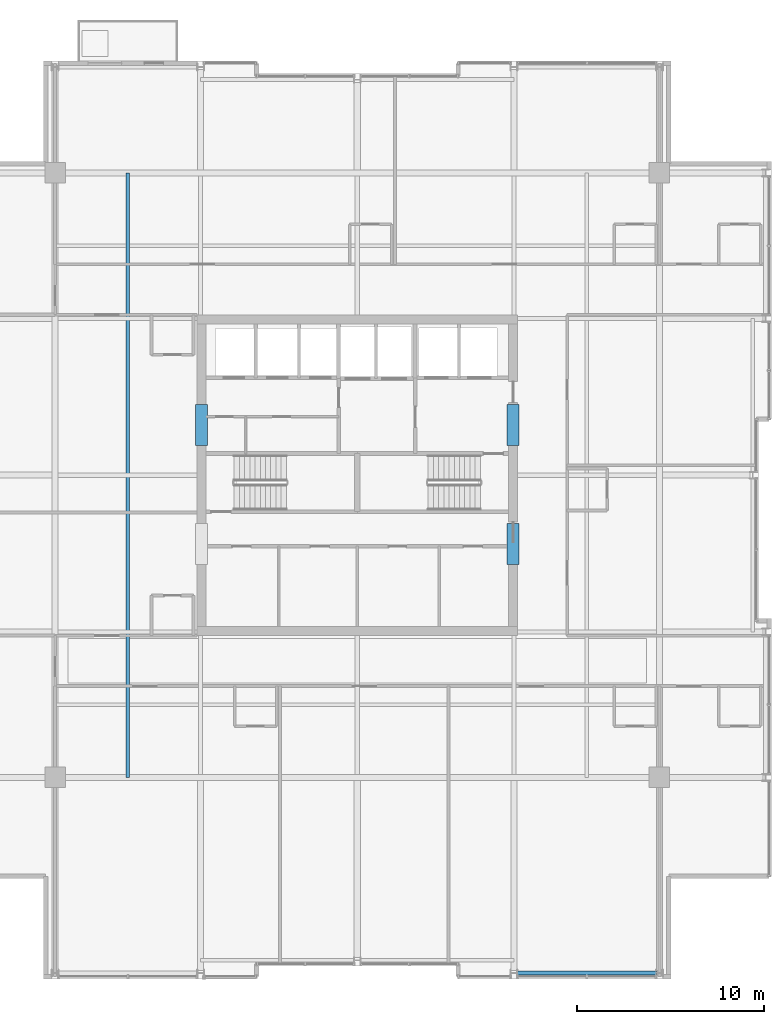
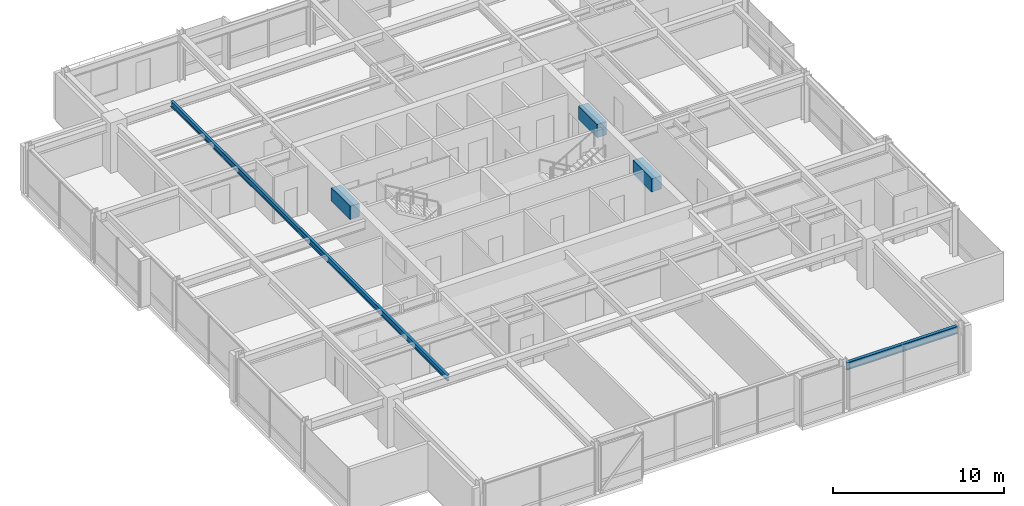
# One storey, part 12 of 32: 5 beams.
"""IFC4 building model written with IfcOpenShell, lengths in metres."""

import ifcopenshell
import ifcopenshell.guid

model = None  # the IFC model being written
_history = None  # IfcOwnerHistory: only IFC2X3 demands one
_inside = {}  # id of a spatial element -> (the spatial element, [elements in it])
_under = {}  # id of a project, library or spatial element -> (it, [spatial elements below it])
_declared = {}  # id of a project -> (the project, [libraries it declares])
_typed = {}  # id of a type object -> (the type object, [elements of that type])
_made_of = {}  # id of a material, layer set ... -> (it, [elements and type objects made of it])


def new_model(schema):
    """Start an empty IFC model of exactly this schema.

    Asked for "IFC4X3", IfcOpenShell would pick the latest addendum, in which some entities
    have other attributes; the version numbers below select the first issue.
    IFC2X3 requires an IfcOwnerHistory on every rooted entity: one is made here for all.
    """
    global model, _history
    if schema == "IFC4X3":
        model = ifcopenshell.file(schema_version=(4, 3, 0, 0))
    else:
        model = ifcopenshell.file(schema=schema)
    _inside.clear()
    _under.clear()
    _declared.clear()
    _typed.clear()
    _made_of.clear()
    _history = None
    if model.schema == "IFC2X3":
        org = make("IfcOrganization", Name="unknown")
        user = make(
            "IfcPersonAndOrganization",
            ThePerson=make("IfcPerson", FamilyName="unknown"),
            TheOrganization=org,
        )
        app = make(
            "IfcApplication",
            ApplicationDeveloper=org,
            Version="unknown",
            ApplicationFullName="unknown",
            ApplicationIdentifier="unknown",
        )
        _history = make(
            "IfcOwnerHistory",
            OwningUser=user,
            OwningApplication=app,
            ChangeAction="ADDED",
            CreationDate=0,
        )
    return model


def make(cls, **values):
    """One entity of the class cls with the attributes given. An attribute that is None is left unset."""
    return model.create_entity(
        cls, **{name: value for name, value in values.items() if value is not None}
    )


def rooted(cls, **values):
    """An entity with a GlobalId (a new one), such as an element, a storey or a relation."""
    return make(cls, GlobalId=ifcopenshell.guid.new(), OwnerHistory=_history, **values)


def si_unit(unit_type, name, prefix=None):
    """IfcSIUnit, for example si_unit("LENGTHUNIT", "METRE", prefix="MILLI")."""
    return make("IfcSIUnit", UnitType=unit_type, Prefix=prefix, Name=name)


def assignment(units):
    """IfcUnitAssignment: the units of a project."""
    return None if units is None else make("IfcUnitAssignment", Units=units)


def point(xyz):
    """IfcCartesianPoint."""
    return None if xyz is None else make("IfcCartesianPoint", Coordinates=xyz)


def direction(xyz):
    """IfcDirection."""
    return None if xyz is None else make("IfcDirection", DirectionRatios=xyz)


def frame(location, z_axis=None, x_axis=None):
    """IfcAxis2Placement3D, a coordinate frame: its origin and axes. An axis left out is left unset."""
    return make(
        "IfcAxis2Placement3D",
        Location=point(location),
        Axis=direction(z_axis),
        RefDirection=direction(x_axis),
    )


def frame_2d(location, x_axis=None):
    """IfcAxis2Placement2D, a coordinate frame in the plane: its origin and x axis."""
    return make(
        "IfcAxis2Placement2D", Location=point(location), RefDirection=direction(x_axis)
    )


def origin():
    """The frame at (0, 0, 0) with its axes left unset."""
    return frame((0.0, 0.0, 0.0))


def origin_2d():
    """The frame at (0, 0) in the plane with its x axis left unset."""
    return frame_2d((0.0, 0.0))


def place(relative_to, where):
    """IfcLocalPlacement: puts the frame where relative to a parent placement (None: the world)."""
    return make(
        "IfcLocalPlacement", PlacementRelTo=relative_to, RelativePlacement=where
    )


def context(
    kind, dimensions, precision=None, world=None, true_north=None, identifier=None
):
    """IfcGeometricRepresentationContext, for example the 3D "Model" context."""
    return make(
        "IfcGeometricRepresentationContext",
        ContextIdentifier=identifier,
        ContextType=kind,
        CoordinateSpaceDimension=dimensions,
        Precision=precision,
        WorldCoordinateSystem=world,
        TrueNorth=true_north,
    )


def subcontext(parent, identifier, kind, view, scale=None):
    """IfcGeometricRepresentationSubContext, for example "Body" below "Model"."""
    return make(
        "IfcGeometricRepresentationSubContext",
        ContextIdentifier=identifier,
        ContextType=kind,
        ParentContext=parent,
        TargetScale=scale,
        TargetView=view,
    )


def project(units=None, contexts=None):
    """IfcProject with its units and contexts."""
    return rooted(
        "IfcProject",
        Name="project",
        RepresentationContexts=contexts,
        UnitsInContext=assignment(units),
    )


def spatial(cls, under=None, at=None, **own):
    """A site, building, storey or space (cls), placed at a placement, below another one or the project."""
    s = rooted(cls, ObjectPlacement=at, **own)
    if under is not None:
        _under.setdefault(under.id(), (under, []))[1].append(s)
    return s


def profile(cls, at=None, kind="AREA", **sizes):
    """A parametric profile (cls). Its sizes go by their IFC names, for example OverallWidth=200.0."""
    return make(cls, ProfileType=kind, Position=at, **sizes)


def rectangle(**sizes):
    """IfcRectangleProfileDef."""
    return profile("IfcRectangleProfileDef", **sizes)


def i_section(**sizes):
    """IfcIShapeProfileDef."""
    return profile("IfcIShapeProfileDef", **sizes)


def extrude(swept, where, along, depth):
    """IfcExtrudedAreaSolid: the profile swept, set in the frame where, extruded along a direction by depth."""
    return make(
        "IfcExtrudedAreaSolid",
        SweptArea=swept,
        Position=where,
        ExtrudedDirection=direction(along),
        Depth=depth,
    )


def shape(context_of_items, identifier, shape_type, items):
    """IfcShapeRepresentation: the items that make up one representation, for example the "Body"."""
    return make(
        "IfcShapeRepresentation",
        ContextOfItems=context_of_items,
        RepresentationIdentifier=identifier,
        RepresentationType=shape_type,
        Items=items,
    )


def material(Name=None, Category=None):
    """IfcMaterial."""
    return make("IfcMaterial", Name=Name, Category=Category)


def material_profile(
    of_material, cross_section, Name=None, Category=None, Priority=None
):
    """IfcMaterialProfile: a cross section and its material."""
    return make(
        "IfcMaterialProfile",
        Name=Name,
        Material=of_material,
        Profile=cross_section,
        Priority=Priority,
        Category=Category,
    )


def profile_set(profiles, Name=None, composite=None):
    """IfcMaterialProfileSet."""
    return make(
        "IfcMaterialProfileSet",
        Name=Name,
        MaterialProfiles=profiles,
        CompositeProfile=composite,
    )


def made_of(thing, what):
    """Note that an element or type object is made of a material, layer set ...; save() writes the relation."""
    if what is not None:
        _made_of.setdefault(what.id(), (what, []))[1].append(thing)
    return thing


def type_object(cls, material=None, **own):
    """A type object (cls), such as IfcWallType, which elements share."""
    return made_of(rooted(cls, **own), material)


def element(
    cls,
    number,
    at=None,
    inside=None,
    cuts=None,
    type_object=None,
    material=None,
    context=None,
    identifier="Body",
    shape_type=None,
    held_by="IfcProductDefinitionShape",
    body=None,
    shapes=None,
    **own,
):
    """One element of the class cls, such as IfcWall. Its Tag is "e" and its number.

    at: its placement. inside: the storey or other place that contains it. cuts: it is an
    opening in that element (IfcRelVoidsElement). A single representation is given by context,
    identifier, shape_type and body (its items); several are given by shapes. held_by: the class
    of the entity that holds the representations. save() writes the other relations.
    """
    e = rooted(cls, Tag="e%d" % number, ObjectPlacement=at, **own)
    if body is not None:
        shapes = [shape(context, identifier, shape_type, body)]
    if shapes is not None:
        e.Representation = make(held_by, Representations=shapes)
    if inside is not None:
        _inside.setdefault(inside.id(), (inside, []))[1].append(e)
    if cuts is not None:
        rooted(
            "IfcRelVoidsElement", RelatingBuildingElement=cuts, RelatedOpeningElement=e
        )
    if type_object is not None:
        _typed.setdefault(type_object.id(), (type_object, []))[1].append(e)
    return made_of(e, material)


def aggregate(whole, parts):
    """IfcRelAggregates: a whole, such as a stair, and the parts it consists of."""
    return rooted("IfcRelAggregates", RelatingObject=whole, RelatedObjects=parts)


def save(model, path):
    """Write the relations noted so far, then the file.

    IfcRelAggregates (storeys below a building ...), IfcRelContainedInSpatialStructure (elements
    in a storey), IfcRelDefinesByType, IfcRelAssociatesMaterial and IfcRelDeclares: one each for
    every whole, place, type object, material and project.
    """
    for whole, parts in _under.values():
        aggregate(whole, parts)
    for where, things in _inside.values():
        rooted(
            "IfcRelContainedInSpatialStructure",
            RelatedElements=things,
            RelatingStructure=where,
        )
    for kind, things in _typed.values():
        rooted("IfcRelDefinesByType", RelatedObjects=things, RelatingType=kind)
    for what, things in _made_of.values():
        rooted("IfcRelAssociatesMaterial", RelatedObjects=things, RelatingMaterial=what)
    for by, libraries in _declared.values():
        rooted("IfcRelDeclares", RelatingContext=by, RelatedDefinitions=libraries)
    model.write(path)


model = new_model("IFC4")

# Units and contexts
model_context = context("Model", 3, precision=1e-05, world=origin(), true_north=direction((0.0, 1.0)))
body_context = subcontext(model_context, "Body", "Model", "MODEL_VIEW")
ifc_project = project(units=[si_unit("LENGTHUNIT", "METRE"), si_unit("AREAUNIT", "SQUARE_METRE"), si_unit("VOLUMEUNIT", "CUBIC_METRE"), si_unit("PLANEANGLEUNIT", "RADIAN"), si_unit("MASSUNIT", "GRAM", prefix="KILO")], contexts=[model_context])

# Site, building, storey
site_placement = place(None, origin())
site = spatial("IfcSite", under=ifc_project, at=site_placement, CompositionType="ELEMENT")
building_placement = place(site_placement, origin())
building = spatial("IfcBuilding", under=site, at=building_placement, Name="Drelvath Grand Hotel", CompositionType="ELEMENT")
storey_placement = place(building_placement, frame((0.0, 0.0, 223.10009765625)))
storey = spatial("IfcBuildingStorey", under=building, at=storey_placement, Name="L58", CompositionType="ELEMENT", Elevation=223.10009765625)

# Beams
ifc_material_1 = material(Name="Steel ASTM A992 Gr 50", Category="steel")
ifc_material_profile_1 = material_profile(ifc_material_1, i_section(OverallWidth=0.177734375, OverallDepth=0.40673828125, WebThickness=0.0078125, FlangeThickness=0.0126953125, FilletRadius=0.014892578125, at=origin_2d()), Name="W16X40")
ifc_profile_set_1 = profile_set([ifc_material_profile_1], Name="Steel ASTM A992 Gr 50")
beam_type_1 = type_object("IfcBeamType", Name="Composite Floor Joist W16X40", PredefinedType="JOIST", material=ifc_profile_set_1)
beam_1_placement = place(storey_placement, frame((-12.300048828125, 10.800048828125, 3.136474609375), z_axis=(0.0, 1.0, 0.0), x_axis=(-1.0, 0.0, 0.0)))
element("IfcBeam", 1, at=beam_1_placement, inside=storey, type_object=beam_type_1, Name="L58 Wing Floor Joist J3", PredefinedType="JOIST", context=body_context, shape_type="SweptSolid", body=[
    extrude(i_section(OverallWidth=0.177734375, OverallDepth=0.40673828125, WebThickness=0.0078125, FlangeThickness=0.0126953125, FilletRadius=0.014892578125, at=origin_2d()), origin(), (0.0, 0.0, 1.0), 32.39990234375),
])
ifc_material_2 = material(Name="Concrete f'c 55 MPa", Category="concrete")
ifc_material_profile_2 = material_profile(ifc_material_2, rectangle(XDim=0.64990234375, YDim=0.949951171875, at=origin_2d()), Name="CB650X950")
ifc_profile_set_2 = profile_set([ifc_material_profile_2], Name="Concrete f'c 55 MPa")
beam_type_2 = type_object("IfcBeamType", Name="Core Coupling Lintel CB650X950", PredefinedType="LINTEL", material=ifc_profile_set_2)
for number, where, z_axis, x_axis, name in (
    (2, (-8.35009765625, 28.60009765625, 2.864990234375), (0.0, 1.0, 0.0), (-1.0, 0.0, 0.0), "L58 Core Coupling Lintel WN"),
    (3, (8.35009765625, 22.199951171875, 2.864990234375), (0.0, 1.0, 0.0), (-1.0, 0.0, 0.0), "L58 Core Coupling Lintel ES"),
    (4, (8.35009765625, 28.60009765625, 2.864990234375), (0.0, 1.0, 0.0), (-1.0, 0.0, 0.0), "L58 Core Coupling Lintel EN"),
):
    element("IfcBeam", number, at=place(storey_placement, frame(where, z_axis=z_axis, x_axis=x_axis)), inside=storey, type_object=beam_type_2, Name=name, PredefinedType="LINTEL", context=body_context, shape_type="SweptSolid", body=[
        extrude(rectangle(XDim=0.64990234375, YDim=0.949951171875, at=origin_2d()), origin(), (0.0, 0.0, 1.0), 2.199951171875),
    ])
ifc_material_profile_3 = material_profile(ifc_material_1, i_section(OverallWidth=0.210205078125, OverallDepth=0.53662109375, WebThickness=0.010986328125, FlangeThickness=0.017333984375, FilletRadius=0.01806640625, at=origin_2d()), Name="W21X68")
ifc_profile_set_3 = profile_set([ifc_material_profile_3], Name="Steel ASTM A992 Gr 50")
beam_type_3 = type_object("IfcBeamType", Name="Perimeter Spandrel Beam W21X68", PredefinedType="SPANDREL", material=ifc_profile_set_3)
beam_2_placement = place(storey_placement, frame((8.5400390625, 0.320068359375, 3.071533203125), z_axis=(1.0, 0.0, 0.0), x_axis=(0.0, 1.0, 0.0)))
element("IfcBeam", 5, at=beam_2_placement, inside=storey, type_object=beam_type_3, Name="L58 Spandrel South E", PredefinedType="SPANDREL", context=body_context, shape_type="SweptSolid", body=[
    extrude(i_section(OverallWidth=0.210205078125, OverallDepth=0.53662109375, WebThickness=0.010986328125, FlangeThickness=0.017333984375, FilletRadius=0.01806640625, at=origin_2d()), origin(), (0.0, 0.0, 1.0), 7.52001953125),
])

save(model, "model.ifc")
